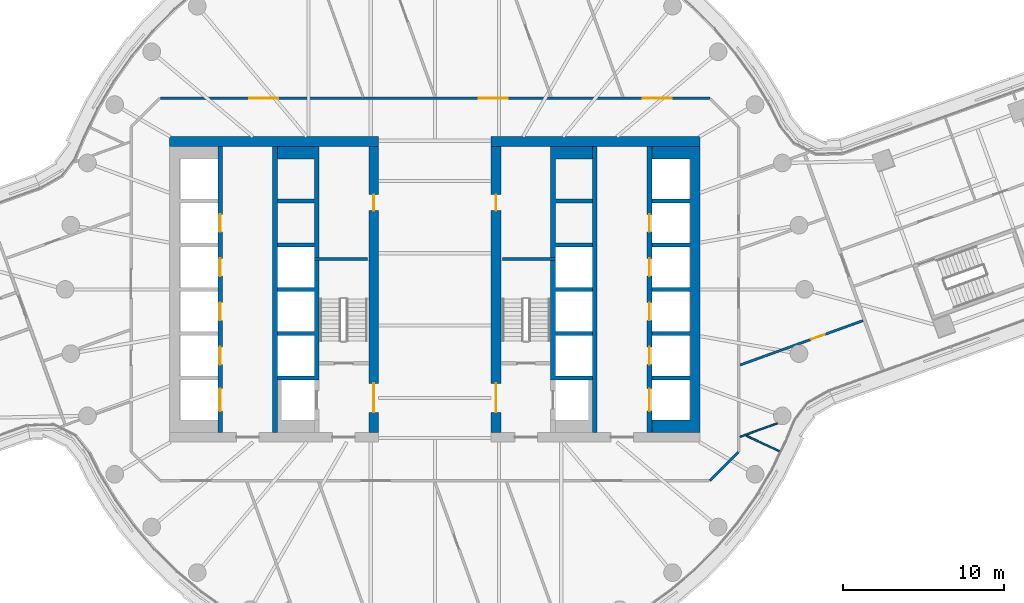
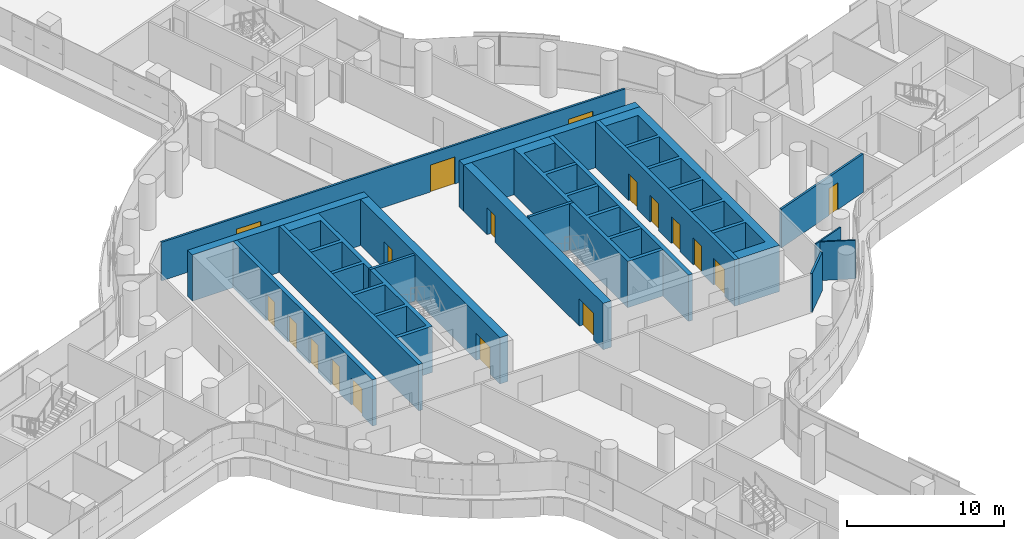
# One storey, part 20 of 30: 18 doors, 18 walls, 18 openings.
"""IFC4 building model written with IfcOpenShell, lengths in metres."""

from ifc_helpers import new_model, si_unit, direction, frame, frame_2d, origin, place, context, subcontext, project, spatial, polyline, rectangle, outline, extrude, material, layer, layer_set, type_object, element, fill, save


model = new_model("IFC4")

# Units and contexts
model_context = context("Model", 3, precision=1e-05, world=origin(), true_north=direction((0.0, 1.0)))
body_context = subcontext(model_context, "Body", "Model", "MODEL_VIEW")
ifc_project = project(units=[si_unit("LENGTHUNIT", "METRE"), si_unit("AREAUNIT", "SQUARE_METRE"), si_unit("VOLUMEUNIT", "CUBIC_METRE"), si_unit("PLANEANGLEUNIT", "RADIAN"), si_unit("MASSUNIT", "GRAM", prefix="KILO")], contexts=[model_context])

# Site, building, storey
site_placement = place(None, origin())
site = spatial("IfcSite", under=ifc_project, at=site_placement, CompositionType="ELEMENT")
building_placement = place(site_placement, origin())
building = spatial("IfcBuilding", under=site, at=building_placement, Name="Tamarind Cross Interchange Tower", CompositionType="ELEMENT")
storey_placement = place(building_placement, frame((0.0, 0.0, 106.0)))
storey = spatial("IfcBuildingStorey", under=building, at=storey_placement, Name="L25", CompositionType="ELEMENT", Elevation=106.0)

# Wall
ifc_material_1 = material(Name="Concrete C70", Category="concrete")
ifc_layer_1 = layer(ifc_material_1, 0.60009765625)
ifc_layer_set_1 = layer_set([ifc_layer_1], Name="Concrete C70")
wall_type_1 = type_object("IfcWallType", Name="Core wall 600 mm Concrete C70", PredefinedType="SHEAR", material=ifc_layer_set_1)
wall_1_placement = place(storey_placement, frame((-16.5, 9.199951171875, 0.0), z_axis=(0.0, 0.0, 1.0), x_axis=(1.0, 0.0, 0.0)))
element("IfcWall", 1, at=wall_1_placement, inside=storey, type_object=wall_type_1, Name="Core wall CWL-L25-W-NE", PredefinedType="SHEAR", context=body_context, shape_type="SweptSolid", body=[
    extrude(rectangle(XDim=13.0, YDim=0.60009765625, at=frame_2d((6.5, 0.0))), origin(), (0.0, 0.0, 1.0), 3.610107421875),
])

# Wall, openings, doors
wall_2_placement = place(storey_placement, frame((-3.800048828125, -8.89990234375, 0.0), z_axis=(0.0, 0.0, 1.0), x_axis=(0.0, 1.0, 0.0)))
wall_2 = element("IfcWall", 2, at=wall_2_placement, inside=storey, type_object=wall_type_1, Name="Core wall CWL-L25-W-IN", PredefinedType="SHEAR", context=body_context, shape_type="SweptSolid", body=[
    extrude(rectangle(XDim=17.7998046875, YDim=0.60009765625, at=frame_2d((8.89990234375, 0.0))), origin(), (0.0, 0.0, 1.0), 3.610107421875),
])
opening_1_placement = place(wall_2_placement, frame((1.25, 0.0, 0.0)))
opening_1 = element("IfcOpeningElement", 3, at=opening_1_placement, cuts=wall_2, Name="Opening DCW4", PredefinedType="OPENING", context=body_context, shape_type="SweptSolid", body=[
    extrude(rectangle(XDim=1.800048828125, YDim=2.10009765625, at=frame_2d((0.89990234375, 1.050048828125))), frame((0.0, 0.31005859375, 0.0), z_axis=(0.0, -1.0, 0.0), x_axis=(1.0, 0.0, 0.0)), (0.0, 0.0, 1.0), 0.6201171875),
])
opening_2_placement = place(wall_2_placement, frame((13.800048828125, 0.0, 0.0)))
opening_2 = element("IfcOpeningElement", 4, at=opening_2_placement, cuts=wall_2, Name="Opening DCW5", PredefinedType="OPENING", context=body_context, shape_type="SweptSolid", body=[
    extrude(rectangle(XDim=1.0, YDim=2.10009765625, at=frame_2d((0.5, 1.050048828125))), frame((0.0, 0.31005859375, 0.0), z_axis=(0.0, -1.0, 0.0), x_axis=(1.0, 0.0, 0.0)), (0.0, 0.0, 1.0), 0.6201171875),
])
ifc_material_2 = material(Name="Steel, fire-resisting", Category="steel")
door_type_1 = type_object("IfcDoorType", Name="Core fire door 1000 x 2100 FD90", OperationType="SINGLE_SWING_LEFT", PredefinedType="DOOR", material=ifc_material_2)
door_1_placement = place(opening_2_placement, origin())
door_1 = element("IfcDoor", 5, at=door_1_placement, inside=storey, type_object=door_type_1, Name="L25 riser room door", OperationType="SINGLE_SWING_LEFT", OverallHeight=2.10009765625, OverallWidth=1.0, PredefinedType="DOOR", context=body_context, shape_type="SweptSolid", body=[
    extrude(rectangle(XDim=1.0, YDim=2.10009765625, at=frame_2d((0.5, 1.050048828125))), frame((0.0, 0.02490234375, 0.0), z_axis=(0.0, -1.0, 0.0), x_axis=(1.0, 0.0, 0.0)), (0.0, 0.0, 1.0), 0.050048828125),
])
fill(opening_2, door_1)
door_type_2 = type_object("IfcDoorType", Name="Core fire door 1800 x 2100 FD90", OperationType="SINGLE_SWING_LEFT", PredefinedType="DOOR", material=ifc_material_2)
door_2_placement = place(opening_1_placement, origin())
door_2 = element("IfcDoor", 6, at=door_2_placement, inside=storey, type_object=door_type_2, Name="L25 firefighting lobby door", OperationType="SINGLE_SWING_LEFT", OverallHeight=2.10009765625, OverallWidth=1.800048828125, PredefinedType="DOOR", context=body_context, shape_type="SweptSolid", body=[
    extrude(rectangle(XDim=1.800048828125, YDim=2.10009765625, at=frame_2d((0.89990234375, 1.050048828125))), frame((0.0, 0.02490234375, 0.0), z_axis=(0.0, -1.0, 0.0), x_axis=(1.0, 0.0, 0.0)), (0.0, 0.0, 1.0), 0.050048828125),
])
fill(opening_1, door_2)

# Walls
wall_3_placement = place(storey_placement, origin())
element("IfcWall", 7, at=wall_3_placement, inside=storey, type_object=wall_type_1, Name="Core wall CWL-L25-E-A", PredefinedType="SHEAR", context=body_context, shape_type="SweptSolid", body=[
    extrude(outline(polyline([(13.5, -8.89990234375), (15.89990234375, -8.89990234375), (16.5, -8.89990234375), (16.5, 8.89990234375), (15.89990234375, 8.89990234375), (13.5, 8.89990234375), (13.5, 8.125), (15.89990234375, 8.125), (15.89990234375, 5.625), (13.5, 5.625), (13.5, 5.375), (15.89990234375, 5.375), (15.89990234375, 2.875), (13.5, 2.875), (13.5, 2.625), (15.89990234375, 2.625), (15.89990234375, 0.125), (13.5, 0.125), (13.5, -0.125), (15.89990234375, -0.125), (15.89990234375, -2.625), (13.5, -2.625), (13.5, -2.875), (15.89990234375, -2.875), (15.89990234375, -5.375), (13.5, -5.375), (13.5, -5.625), (15.89990234375, -5.625), (15.89990234375, -8.125), (13.5, -8.125), (13.5, -8.89990234375)])), origin(), (0.0, 0.0, 1.0), 3.610107421875),
])
wall_4_placement = place(storey_placement, frame((16.5, 9.199951171875, 0.0), z_axis=(0.0, 0.0, 1.0), x_axis=(-1.0, 0.0, 0.0)))
element("IfcWall", 8, at=wall_4_placement, inside=storey, type_object=wall_type_1, Name="Core wall CWL-L25-E-NE", PredefinedType="SHEAR", context=body_context, shape_type="SweptSolid", body=[
    extrude(rectangle(XDim=13.0, YDim=0.60009765625, at=frame_2d((6.5, 0.0))), origin(), (0.0, 0.0, 1.0), 3.610107421875),
])

# Wall, openings, doors
wall_5_placement = place(storey_placement, frame((3.800048828125, -8.89990234375, 0.0), z_axis=(0.0, 0.0, 1.0), x_axis=(0.0, 1.0, 0.0)))
wall_5 = element("IfcWall", 9, at=wall_5_placement, inside=storey, type_object=wall_type_1, Name="Core wall CWL-L25-E-IN", PredefinedType="SHEAR", context=body_context, shape_type="SweptSolid", body=[
    extrude(rectangle(XDim=17.7998046875, YDim=0.60009765625, at=frame_2d((8.89990234375, 0.0))), origin(), (0.0, 0.0, 1.0), 3.610107421875),
])
opening_3_placement = place(wall_5_placement, frame((1.25, 0.0, 0.0)))
opening_3 = element("IfcOpeningElement", 10, at=opening_3_placement, cuts=wall_5, Name="Opening DCE4", PredefinedType="OPENING", context=body_context, shape_type="SweptSolid", body=[
    extrude(rectangle(XDim=1.800048828125, YDim=2.10009765625, at=frame_2d((0.89990234375, 1.050048828125))), frame((0.0, 0.31005859375, 0.0), z_axis=(0.0, -1.0, 0.0), x_axis=(1.0, 0.0, 0.0)), (0.0, 0.0, 1.0), 0.6201171875),
])
opening_4_placement = place(wall_5_placement, frame((13.800048828125, 0.0, 0.0)))
opening_4 = element("IfcOpeningElement", 11, at=opening_4_placement, cuts=wall_5, Name="Opening DCE5", PredefinedType="OPENING", context=body_context, shape_type="SweptSolid", body=[
    extrude(rectangle(XDim=1.0, YDim=2.10009765625, at=frame_2d((0.5, 1.050048828125))), frame((0.0, 0.31005859375, 0.0), z_axis=(0.0, -1.0, 0.0), x_axis=(1.0, 0.0, 0.0)), (0.0, 0.0, 1.0), 0.6201171875),
])
door_3_placement = place(opening_4_placement, origin())
door_3 = element("IfcDoor", 12, at=door_3_placement, inside=storey, type_object=door_type_1, Name="L25 riser room door", OperationType="SINGLE_SWING_LEFT", OverallHeight=2.10009765625, OverallWidth=1.0, PredefinedType="DOOR", context=body_context, shape_type="SweptSolid", body=[
    extrude(rectangle(XDim=1.0, YDim=2.10009765625, at=frame_2d((0.5, 1.050048828125))), frame((0.0, 0.02490234375, 0.0), z_axis=(0.0, -1.0, 0.0), x_axis=(1.0, 0.0, 0.0)), (0.0, 0.0, 1.0), 0.050048828125),
])
fill(opening_4, door_3)
door_4_placement = place(opening_3_placement, origin())
door_4 = element("IfcDoor", 13, at=door_4_placement, inside=storey, type_object=door_type_2, Name="L25 firefighting lobby door", OperationType="SINGLE_SWING_LEFT", OverallHeight=2.10009765625, OverallWidth=1.800048828125, PredefinedType="DOOR", context=body_context, shape_type="SweptSolid", body=[
    extrude(rectangle(XDim=1.800048828125, YDim=2.10009765625, at=frame_2d((0.89990234375, 1.050048828125))), frame((0.0, 0.02490234375, 0.0), z_axis=(0.0, -1.0, 0.0), x_axis=(1.0, 0.0, 0.0)), (0.0, 0.0, 1.0), 0.050048828125),
])
fill(opening_3, door_4)

# Walls
ifc_layer_2 = layer(ifc_material_1, 0.199951171875)
ifc_layer_set_2 = layer_set([ifc_layer_2], Name="Concrete C70")
wall_type_2 = type_object("IfcWallType", Name="Core web wall 200 mm Concrete C70", PredefinedType="SHEAR", material=ifc_layer_set_2)
for number, where, z_axis, x_axis, name in (
    (14, (-7.5, 1.89990234375, 0.0), (0.0, 0.0, 1.0), (1.0, 0.0, 0.0), "Core wall CWL-L25-W-BD"),
    (15, (7.5, 1.89990234375, 0.0), (0.0, 0.0, 1.0), (-1.0, 0.0, 0.0), "Core wall CWL-L25-E-BD"),
):
    element("IfcWall", number, at=place(storey_placement, frame(where, z_axis=z_axis, x_axis=x_axis)), inside=storey, type_object=wall_type_2, Name=name, PredefinedType="SHEAR", context=body_context, shape_type="SweptSolid", body=[
        extrude(rectangle(XDim=3.300048828125, YDim=0.199951171875, at=frame_2d((1.64990234375, 0.0))), origin(), (0.0, 0.0, 1.0), 3.610107421875),
    ])
ifc_layer_3 = layer(ifc_material_1, 0.300048828125)
ifc_layer_set_3 = layer_set([ifc_layer_3], Name="Concrete C70")
wall_type_3 = type_object("IfcWallType", Name="Core web wall 300 mm Concrete C70", PredefinedType="SHEAR", material=ifc_layer_set_3)
wall_6_placement = place(storey_placement, origin())
element("IfcWall", 16, at=wall_6_placement, inside=storey, type_object=wall_type_3, Name="Core wall CWL-L25-W-BN", PredefinedType="SHEAR", context=body_context, shape_type="SweptSolid", body=[
    extrude(outline(polyline([(-9.800048828125, -5.375), (-9.800048828125, -5.625), (-7.5, -5.625), (-7.199951171875, -5.625), (-7.199951171875, 8.89990234375), (-7.5, 8.89990234375), (-9.800048828125, 8.89990234375), (-9.800048828125, 8.125), (-7.5, 8.125), (-7.5, 5.625), (-9.800048828125, 5.625), (-9.800048828125, 5.375), (-7.5, 5.375), (-7.5, 2.875), (-9.800048828125, 2.875), (-9.800048828125, 2.625), (-7.5, 2.625), (-7.5, 0.125), (-9.800048828125, 0.125), (-9.800048828125, -0.125), (-7.5, -0.125), (-7.5, -2.625), (-9.800048828125, -2.625), (-9.800048828125, -2.875), (-7.5, -2.875), (-7.5, -5.375), (-9.800048828125, -5.375)])), origin(), (0.0, 0.0, 1.0), 3.610107421875),
])

# Wall, openings, doors
wall_7_placement = place(storey_placement, frame((-13.35009765625, -8.89990234375, 0.0), z_axis=(0.0, 0.0, 1.0), x_axis=(0.0, 1.0, 0.0)))
wall_7 = element("IfcWall", 17, at=wall_7_placement, inside=storey, type_object=wall_type_3, Name="Core wall CWL-L25-W-LA", PredefinedType="SHEAR", context=body_context, shape_type="SweptSolid", body=[
    extrude(rectangle(XDim=17.7998046875, YDim=0.300048828125, at=frame_2d((8.89990234375, 0.0))), origin(), (0.0, 0.0, 1.0), 3.610107421875),
])
opening_5_placement = place(wall_7_placement, frame((1.324951171875, 0.0, 0.0)))
opening_5 = element("IfcOpeningElement", 18, at=opening_5_placement, cuts=wall_7, Name="Opening LD1L25", PredefinedType="OPENING", context=body_context, shape_type="SweptSolid", body=[
    extrude(rectangle(XDim=1.39990234375, YDim=2.10009765625, at=frame_2d((0.699951171875, 1.050048828125))), frame((0.0, 0.159912109375, 0.0), z_axis=(0.0, -1.0, 0.0), x_axis=(1.0, 0.0, 0.0)), (0.0, 0.0, 1.0), 0.320068359375),
])
opening_6_placement = place(wall_7_placement, frame((4.22509765625, 0.0, 0.0)))
opening_6 = element("IfcOpeningElement", 19, at=opening_6_placement, cuts=wall_7, Name="Opening LD2L25", PredefinedType="OPENING", context=body_context, shape_type="SweptSolid", body=[
    extrude(rectangle(XDim=1.10009765625, YDim=2.10009765625, at=frame_2d((0.550048828125, 1.050048828125))), frame((0.0, 0.159912109375, 0.0), z_axis=(0.0, -1.0, 0.0), x_axis=(1.0, 0.0, 0.0)), (0.0, 0.0, 1.0), 0.320068359375),
])
opening_7_placement = place(wall_7_placement, frame((6.97509765625, 0.0, 0.0)))
opening_7 = element("IfcOpeningElement", 20, at=opening_7_placement, cuts=wall_7, Name="Opening LD3L25", PredefinedType="OPENING", context=body_context, shape_type="SweptSolid", body=[
    extrude(rectangle(XDim=1.10009765625, YDim=2.10009765625, at=frame_2d((0.550048828125, 1.050048828125))), frame((0.0, 0.159912109375, 0.0), z_axis=(0.0, -1.0, 0.0), x_axis=(1.0, 0.0, 0.0)), (0.0, 0.0, 1.0), 0.320068359375),
])
opening_8_placement = place(wall_7_placement, frame((9.72509765625, 0.0, 0.0)))
opening_8 = element("IfcOpeningElement", 21, at=opening_8_placement, cuts=wall_7, Name="Opening LD4L25", PredefinedType="OPENING", context=body_context, shape_type="SweptSolid", body=[
    extrude(rectangle(XDim=1.10009765625, YDim=2.10009765625, at=frame_2d((0.550048828125, 1.050048828125))), frame((0.0, 0.159912109375, 0.0), z_axis=(0.0, -1.0, 0.0), x_axis=(1.0, 0.0, 0.0)), (0.0, 0.0, 1.0), 0.320068359375),
])
opening_9_placement = place(wall_7_placement, frame((12.47509765625, 0.0, 0.0)))
opening_9 = element("IfcOpeningElement", 22, at=opening_9_placement, cuts=wall_7, Name="Opening LD5L25", PredefinedType="OPENING", context=body_context, shape_type="SweptSolid", body=[
    extrude(rectangle(XDim=1.10009765625, YDim=2.10009765625, at=frame_2d((0.550048828125, 1.050048828125))), frame((0.0, 0.159912109375, 0.0), z_axis=(0.0, -1.0, 0.0), x_axis=(1.0, 0.0, 0.0)), (0.0, 0.0, 1.0), 0.320068359375),
])
ifc_material_3 = material(Name="Stainless steel panel", Category="steel")
door_type_3 = type_object("IfcDoorType", Name="Lift landing door 1100 x 2100 E 120", OperationType="SLIDING_TO_LEFT", PredefinedType="DOOR", material=ifc_material_3)
door_5_placement = place(opening_6_placement, origin())
door_5 = element("IfcDoor", 23, at=door_5_placement, inside=storey, type_object=door_type_3, Name="L25 landing door LF2", OperationType="SLIDING_TO_LEFT", OverallHeight=2.10009765625, OverallWidth=1.10009765625, PredefinedType="DOOR", context=body_context, shape_type="SweptSolid", body=[
    extrude(rectangle(XDim=1.10009765625, YDim=2.10009765625, at=frame_2d((0.550048828125, 1.050048828125))), frame((0.0, 0.02490234375, 0.0), z_axis=(0.0, -1.0, 0.0), x_axis=(1.0, 0.0, 0.0)), (0.0, 0.0, 1.0), 0.050048828125),
])
fill(opening_6, door_5)
door_6_placement = place(opening_7_placement, origin())
door_6 = element("IfcDoor", 24, at=door_6_placement, inside=storey, type_object=door_type_3, Name="L25 landing door LF3", OperationType="SLIDING_TO_LEFT", OverallHeight=2.10009765625, OverallWidth=1.10009765625, PredefinedType="DOOR", context=body_context, shape_type="SweptSolid", body=[
    extrude(rectangle(XDim=1.10009765625, YDim=2.10009765625, at=frame_2d((0.550048828125, 1.050048828125))), frame((0.0, 0.02490234375, 0.0), z_axis=(0.0, -1.0, 0.0), x_axis=(1.0, 0.0, 0.0)), (0.0, 0.0, 1.0), 0.050048828125),
])
fill(opening_7, door_6)
door_7_placement = place(opening_8_placement, origin())
door_7 = element("IfcDoor", 25, at=door_7_placement, inside=storey, type_object=door_type_3, Name="L25 landing door LF4", OperationType="SLIDING_TO_LEFT", OverallHeight=2.10009765625, OverallWidth=1.10009765625, PredefinedType="DOOR", context=body_context, shape_type="SweptSolid", body=[
    extrude(rectangle(XDim=1.10009765625, YDim=2.10009765625, at=frame_2d((0.550048828125, 1.050048828125))), frame((0.0, 0.02490234375, 0.0), z_axis=(0.0, -1.0, 0.0), x_axis=(1.0, 0.0, 0.0)), (0.0, 0.0, 1.0), 0.050048828125),
])
fill(opening_8, door_7)
door_8_placement = place(opening_9_placement, origin())
door_8 = element("IfcDoor", 26, at=door_8_placement, inside=storey, type_object=door_type_3, Name="L25 landing door LF5", OperationType="SLIDING_TO_LEFT", OverallHeight=2.10009765625, OverallWidth=1.10009765625, PredefinedType="DOOR", context=body_context, shape_type="SweptSolid", body=[
    extrude(rectangle(XDim=1.10009765625, YDim=2.10009765625, at=frame_2d((0.550048828125, 1.050048828125))), frame((0.0, 0.02490234375, 0.0), z_axis=(0.0, -1.0, 0.0), x_axis=(1.0, 0.0, 0.0)), (0.0, 0.0, 1.0), 0.050048828125),
])
fill(opening_9, door_8)
door_type_4 = type_object("IfcDoorType", Name="Lift landing door 1400 x 2100 E 120", OperationType="SLIDING_TO_LEFT", PredefinedType="DOOR", material=ifc_material_3)
door_9_placement = place(opening_5_placement, origin())
door_9 = element("IfcDoor", 27, at=door_9_placement, inside=storey, type_object=door_type_4, Name="L25 landing door LF1", OperationType="SLIDING_TO_LEFT", OverallHeight=2.10009765625, OverallWidth=1.39990234375, PredefinedType="DOOR", context=body_context, shape_type="SweptSolid", body=[
    extrude(rectangle(XDim=1.39990234375, YDim=2.10009765625, at=frame_2d((0.699951171875, 1.050048828125))), frame((0.0, 0.02490234375, 0.0), z_axis=(0.0, -1.0, 0.0), x_axis=(1.0, 0.0, 0.0)), (0.0, 0.0, 1.0), 0.050048828125),
])
fill(opening_5, door_9)

# Walls
wall_8_placement = place(storey_placement, frame((-9.949951171875, -8.89990234375, 0.0), z_axis=(0.0, 0.0, 1.0), x_axis=(0.0, 1.0, 0.0)))
element("IfcWall", 28, at=wall_8_placement, inside=storey, type_object=wall_type_3, Name="Core wall CWL-L25-W-LB", PredefinedType="SHEAR", context=body_context, shape_type="SweptSolid", body=[
    extrude(rectangle(XDim=17.7998046875, YDim=0.300048828125, at=frame_2d((8.89990234375, 0.0))), origin(), (0.0, 0.0, 1.0), 3.610107421875),
])
wall_9_placement = place(storey_placement, origin())
element("IfcWall", 29, at=wall_9_placement, inside=storey, type_object=wall_type_3, Name="Core wall CWL-L25-E-BN", PredefinedType="SHEAR", context=body_context, shape_type="SweptSolid", body=[
    extrude(outline(polyline([(9.800048828125, -5.375), (7.5, -5.375), (7.5, -2.875), (9.800048828125, -2.875), (9.800048828125, -2.625), (7.5, -2.625), (7.5, -0.125), (9.800048828125, -0.125), (9.800048828125, 0.125), (7.5, 0.125), (7.5, 2.625), (9.800048828125, 2.625), (9.800048828125, 2.875), (7.5, 2.875), (7.5, 5.375), (9.800048828125, 5.375), (9.800048828125, 5.625), (7.5, 5.625), (7.5, 8.125), (9.800048828125, 8.125), (9.800048828125, 8.89990234375), (7.5, 8.89990234375), (7.199951171875, 8.89990234375), (7.199951171875, -5.625), (7.5, -5.625), (9.800048828125, -5.625), (9.800048828125, -5.375)])), origin(), (0.0, 0.0, 1.0), 3.610107421875),
])

# Wall, openings, doors
wall_10_placement = place(storey_placement, frame((13.35009765625, -8.89990234375, 0.0), z_axis=(0.0, 0.0, 1.0), x_axis=(0.0, 1.0, 0.0)))
wall_10 = element("IfcWall", 30, at=wall_10_placement, inside=storey, type_object=wall_type_3, Name="Core wall CWL-L25-E-LA", PredefinedType="SHEAR", context=body_context, shape_type="SweptSolid", body=[
    extrude(rectangle(XDim=17.7998046875, YDim=0.300048828125, at=frame_2d((8.89990234375, 0.0))), origin(), (0.0, 0.0, 1.0), 3.610107421875),
])
opening_10_placement = place(wall_10_placement, frame((1.324951171875, 0.0, 0.0)))
opening_10 = element("IfcOpeningElement", 31, at=opening_10_placement, cuts=wall_10, Name="Opening LD13L25", PredefinedType="OPENING", context=body_context, shape_type="SweptSolid", body=[
    extrude(rectangle(XDim=1.39990234375, YDim=2.10009765625, at=frame_2d((0.699951171875, 1.050048828125))), frame((0.0, 0.159912109375, 0.0), z_axis=(0.0, -1.0, 0.0), x_axis=(1.0, 0.0, 0.0)), (0.0, 0.0, 1.0), 0.320068359375),
])
opening_11_placement = place(wall_10_placement, frame((4.22509765625, 0.0, 0.0)))
opening_11 = element("IfcOpeningElement", 32, at=opening_11_placement, cuts=wall_10, Name="Opening LD14L25", PredefinedType="OPENING", context=body_context, shape_type="SweptSolid", body=[
    extrude(rectangle(XDim=1.10009765625, YDim=2.10009765625, at=frame_2d((0.550048828125, 1.050048828125))), frame((0.0, 0.159912109375, 0.0), z_axis=(0.0, -1.0, 0.0), x_axis=(1.0, 0.0, 0.0)), (0.0, 0.0, 1.0), 0.320068359375),
])
opening_12_placement = place(wall_10_placement, frame((6.97509765625, 0.0, 0.0)))
opening_12 = element("IfcOpeningElement", 33, at=opening_12_placement, cuts=wall_10, Name="Opening LD15L25", PredefinedType="OPENING", context=body_context, shape_type="SweptSolid", body=[
    extrude(rectangle(XDim=1.10009765625, YDim=2.10009765625, at=frame_2d((0.550048828125, 1.050048828125))), frame((0.0, 0.159912109375, 0.0), z_axis=(0.0, -1.0, 0.0), x_axis=(1.0, 0.0, 0.0)), (0.0, 0.0, 1.0), 0.320068359375),
])
opening_13_placement = place(wall_10_placement, frame((9.72509765625, 0.0, 0.0)))
opening_13 = element("IfcOpeningElement", 34, at=opening_13_placement, cuts=wall_10, Name="Opening LD16L25", PredefinedType="OPENING", context=body_context, shape_type="SweptSolid", body=[
    extrude(rectangle(XDim=1.10009765625, YDim=2.10009765625, at=frame_2d((0.550048828125, 1.050048828125))), frame((0.0, 0.159912109375, 0.0), z_axis=(0.0, -1.0, 0.0), x_axis=(1.0, 0.0, 0.0)), (0.0, 0.0, 1.0), 0.320068359375),
])
opening_14_placement = place(wall_10_placement, frame((12.47509765625, 0.0, 0.0)))
opening_14 = element("IfcOpeningElement", 35, at=opening_14_placement, cuts=wall_10, Name="Opening LD17L25", PredefinedType="OPENING", context=body_context, shape_type="SweptSolid", body=[
    extrude(rectangle(XDim=1.10009765625, YDim=2.10009765625, at=frame_2d((0.550048828125, 1.050048828125))), frame((0.0, 0.159912109375, 0.0), z_axis=(0.0, -1.0, 0.0), x_axis=(1.0, 0.0, 0.0)), (0.0, 0.0, 1.0), 0.320068359375),
])
door_10_placement = place(opening_11_placement, origin())
door_10 = element("IfcDoor", 36, at=door_10_placement, inside=storey, type_object=door_type_3, Name="L25 landing door LF14", OperationType="SLIDING_TO_LEFT", OverallHeight=2.10009765625, OverallWidth=1.10009765625, PredefinedType="DOOR", context=body_context, shape_type="SweptSolid", body=[
    extrude(rectangle(XDim=1.10009765625, YDim=2.10009765625, at=frame_2d((0.550048828125, 1.050048828125))), frame((0.0, 0.02490234375, 0.0), z_axis=(0.0, -1.0, 0.0), x_axis=(1.0, 0.0, 0.0)), (0.0, 0.0, 1.0), 0.050048828125),
])
fill(opening_11, door_10)
door_11_placement = place(opening_12_placement, origin())
door_11 = element("IfcDoor", 37, at=door_11_placement, inside=storey, type_object=door_type_3, Name="L25 landing door LF15", OperationType="SLIDING_TO_LEFT", OverallHeight=2.10009765625, OverallWidth=1.10009765625, PredefinedType="DOOR", context=body_context, shape_type="SweptSolid", body=[
    extrude(rectangle(XDim=1.10009765625, YDim=2.10009765625, at=frame_2d((0.550048828125, 1.050048828125))), frame((0.0, 0.02490234375, 0.0), z_axis=(0.0, -1.0, 0.0), x_axis=(1.0, 0.0, 0.0)), (0.0, 0.0, 1.0), 0.050048828125),
])
fill(opening_12, door_11)
door_12_placement = place(opening_13_placement, origin())
door_12 = element("IfcDoor", 38, at=door_12_placement, inside=storey, type_object=door_type_3, Name="L25 landing door LF16", OperationType="SLIDING_TO_LEFT", OverallHeight=2.10009765625, OverallWidth=1.10009765625, PredefinedType="DOOR", context=body_context, shape_type="SweptSolid", body=[
    extrude(rectangle(XDim=1.10009765625, YDim=2.10009765625, at=frame_2d((0.550048828125, 1.050048828125))), frame((0.0, 0.02490234375, 0.0), z_axis=(0.0, -1.0, 0.0), x_axis=(1.0, 0.0, 0.0)), (0.0, 0.0, 1.0), 0.050048828125),
])
fill(opening_13, door_12)
door_13_placement = place(opening_14_placement, origin())
door_13 = element("IfcDoor", 39, at=door_13_placement, inside=storey, type_object=door_type_3, Name="L25 landing door LF17", OperationType="SLIDING_TO_LEFT", OverallHeight=2.10009765625, OverallWidth=1.10009765625, PredefinedType="DOOR", context=body_context, shape_type="SweptSolid", body=[
    extrude(rectangle(XDim=1.10009765625, YDim=2.10009765625, at=frame_2d((0.550048828125, 1.050048828125))), frame((0.0, 0.02490234375, 0.0), z_axis=(0.0, -1.0, 0.0), x_axis=(1.0, 0.0, 0.0)), (0.0, 0.0, 1.0), 0.050048828125),
])
fill(opening_14, door_13)
door_14_placement = place(opening_10_placement, origin())
door_14 = element("IfcDoor", 40, at=door_14_placement, inside=storey, type_object=door_type_4, Name="L25 landing door LF13", OperationType="SLIDING_TO_LEFT", OverallHeight=2.10009765625, OverallWidth=1.39990234375, PredefinedType="DOOR", context=body_context, shape_type="SweptSolid", body=[
    extrude(rectangle(XDim=1.39990234375, YDim=2.10009765625, at=frame_2d((0.699951171875, 1.050048828125))), frame((0.0, 0.02490234375, 0.0), z_axis=(0.0, -1.0, 0.0), x_axis=(1.0, 0.0, 0.0)), (0.0, 0.0, 1.0), 0.050048828125),
])
fill(opening_10, door_14)

# Walls
wall_11_placement = place(storey_placement, frame((9.949951171875, -8.89990234375, 0.0), z_axis=(0.0, 0.0, 1.0), x_axis=(0.0, 1.0, 0.0)))
element("IfcWall", 41, at=wall_11_placement, inside=storey, type_object=wall_type_3, Name="Core wall CWL-L25-E-LB", PredefinedType="SHEAR", context=body_context, shape_type="SweptSolid", body=[
    extrude(rectangle(XDim=17.7998046875, YDim=0.300048828125, at=frame_2d((8.89990234375, 0.0))), origin(), (0.0, 0.0, 1.0), 3.610107421875),
])
ifc_material_4 = material(Name="Gypsum board partition on steel studs", Category="steel")
ifc_layer_4 = layer(ifc_material_4, 0.10009765625)
ifc_layer_set_4 = layer_set([ifc_layer_4], Name="Gypsum board partition on steel studs")
wall_type_4 = type_object("IfcWallType", Name="Partition 100 mm EI 90", PredefinedType="PARTITIONING", material=ifc_layer_set_4)
wall_12_placement = place(storey_placement, frame((19.376220703125, -9.10302734375, 0.0), z_axis=(0.0, 0.0, 1.0), x_axis=(0.905138048733, -0.425117763374, 0.0)))
element("IfcWall", 42, at=wall_12_placement, inside=storey, type_object=wall_type_4, Name="Partition L25-039", PredefinedType="PARTITIONING", context=body_context, shape_type="SweptSolid", body=[
    extrude(rectangle(XDim=2.267822265625, YDim=0.10009765625, at=frame_2d((1.1337890625, 0.0))), origin(), (0.0, 0.0, 1.0), 3.010009765625),
])
wall_13_placement = place(storey_placement, frame((18.97509765625, -9.171875, 0.0), z_axis=(0.0, 0.0, 1.0), x_axis=(0.94050065274, 0.339791880709, 0.0)))
element("IfcWall", 43, at=wall_13_placement, inside=storey, type_object=wall_type_4, Name="Partition L25-062", PredefinedType="PARTITIONING", context=body_context, shape_type="SweptSolid", body=[
    extrude(rectangle(XDim=2.482421875, YDim=0.10009765625, at=frame_2d((1.2412109375, 0.0))), origin(), (0.0, 0.0, 1.0), 3.010009765625),
])

# Wall, openings, doors
ifc_layer_5 = layer(ifc_material_4, 0.14990234375)
ifc_layer_set_5 = layer_set([ifc_layer_5], Name="Gypsum board partition on steel studs")
wall_type_5 = type_object("IfcWallType", Name="Partition 150 mm EI 120", PredefinedType="PARTITIONING", material=ifc_layer_set_5)
wall_14_placement = place(storey_placement, frame((-17.06494140625, 11.89990234375, 0.0), z_axis=(0.0, 0.0, 1.0), x_axis=(1.0, 0.0, 0.0)))
wall_14 = element("IfcWall", 44, at=wall_14_placement, inside=storey, type_object=wall_type_5, Name="Partition L25-041", PredefinedType="PARTITIONING", context=body_context, shape_type="SweptSolid", body=[
    extrude(rectangle(XDim=34.1650390625, YDim=0.14990234375, at=frame_2d((17.08251953125, 0.0))), origin(), (0.0, 0.0, 1.0), 3.010009765625),
])
opening_15_placement = place(wall_14_placement, frame((19.797119140625, 0.0, 0.0)))
opening_15 = element("IfcOpeningElement", 45, at=opening_15_placement, cuts=wall_14, Name="Opening D20", PredefinedType="OPENING", context=body_context, shape_type="SweptSolid", body=[
    extrude(rectangle(XDim=1.800048828125, YDim=2.10009765625, at=frame_2d((0.89990234375, 1.050048828125))), frame((0.0, 0.0849609375, 0.0), z_axis=(0.0, -1.0, 0.0), x_axis=(1.0, 0.0, 0.0)), (0.0, 0.0, 1.0), 0.169921875),
])
opening_16_placement = place(wall_14_placement, frame((29.991943359375, 0.0, 0.0)))
opening_16 = element("IfcOpeningElement", 46, at=opening_16_placement, cuts=wall_14, Name="Opening D21", PredefinedType="OPENING", context=body_context, shape_type="SweptSolid", body=[
    extrude(rectangle(XDim=1.800048828125, YDim=2.10009765625, at=frame_2d((0.89990234375, 1.050048828125))), frame((0.0, 0.0849609375, 0.0), z_axis=(0.0, -1.0, 0.0), x_axis=(1.0, 0.0, 0.0)), (0.0, 0.0, 1.0), 0.169921875),
])
opening_17_placement = place(wall_14_placement, frame((5.514892578125, 0.0, 0.0)))
opening_17 = element("IfcOpeningElement", 47, at=opening_17_placement, cuts=wall_14, Name="Opening D22", PredefinedType="OPENING", context=body_context, shape_type="SweptSolid", body=[
    extrude(rectangle(XDim=1.800048828125, YDim=2.10009765625, at=frame_2d((0.89990234375, 1.050048828125))), frame((0.0, 0.0849609375, 0.0), z_axis=(0.0, -1.0, 0.0), x_axis=(1.0, 0.0, 0.0)), (0.0, 0.0, 1.0), 0.169921875),
])
ifc_material_5 = material(Name="Fire-resisting door set")
door_type_5 = type_object("IfcDoorType", Name="Interior door 1800 x 2100 FD60S", OperationType="DOUBLE_DOOR_SINGLE_SWING", PredefinedType="DOOR", material=ifc_material_5)
door_15_placement = place(opening_15_placement, frame((1.800048828125, 0.0, 0.0), z_axis=(0.0, 0.0, 1.0), x_axis=(-1.0, 0.0, 0.0)))
door_15 = element("IfcDoor", 48, at=door_15_placement, inside=storey, type_object=door_type_5, Name="Door D20", OperationType="DOUBLE_DOOR_SINGLE_SWING", OverallHeight=2.10009765625, OverallWidth=1.800048828125, PredefinedType="DOOR", context=body_context, shape_type="SweptSolid", body=[
    extrude(rectangle(XDim=1.800048828125, YDim=2.10009765625, at=frame_2d((0.89990234375, 1.050048828125))), frame((0.0, 0.02490234375, 0.0), z_axis=(0.0, -1.0, 0.0), x_axis=(1.0, 0.0, 0.0)), (0.0, 0.0, 1.0), 0.050048828125),
])
fill(opening_15, door_15)
door_16_placement = place(opening_16_placement, origin())
door_16 = element("IfcDoor", 49, at=door_16_placement, inside=storey, type_object=door_type_5, Name="Door D21", OperationType="DOUBLE_DOOR_SINGLE_SWING", OverallHeight=2.10009765625, OverallWidth=1.800048828125, PredefinedType="DOOR", context=body_context, shape_type="SweptSolid", body=[
    extrude(rectangle(XDim=1.800048828125, YDim=2.10009765625, at=frame_2d((0.89990234375, 1.050048828125))), frame((0.0, 0.02490234375, 0.0), z_axis=(0.0, -1.0, 0.0), x_axis=(1.0, 0.0, 0.0)), (0.0, 0.0, 1.0), 0.050048828125),
])
fill(opening_16, door_16)
door_17_placement = place(opening_17_placement, origin())
door_17 = element("IfcDoor", 50, at=door_17_placement, inside=storey, type_object=door_type_5, Name="Door D22", OperationType="DOUBLE_DOOR_SINGLE_SWING", OverallHeight=2.10009765625, OverallWidth=1.800048828125, PredefinedType="DOOR", context=body_context, shape_type="SweptSolid", body=[
    extrude(rectangle(XDim=1.800048828125, YDim=2.10009765625, at=frame_2d((0.89990234375, 1.050048828125))), frame((0.0, 0.02490234375, 0.0), z_axis=(0.0, -1.0, 0.0), x_axis=(1.0, 0.0, 0.0)), (0.0, 0.0, 1.0), 0.050048828125),
])
fill(opening_17, door_17)

# Wall, opening, door
wall_15_placement = place(storey_placement, frame((18.984619140625, -4.703369140625, 0.0), z_axis=(0.0, 0.0, 1.0), x_axis=(0.940599704844, 0.339517591955, 0.0)))
wall_15 = element("IfcWall", 51, at=wall_15_placement, inside=storey, type_object=wall_type_5, Name="Partition L25-063", PredefinedType="PARTITIONING", context=body_context, shape_type="SweptSolid", body=[
    extrude(rectangle(XDim=8.133544921875, YDim=0.14990234375, at=frame_2d((4.06689453125, 0.0))), origin(), (0.0, 0.0, 1.0), 3.010009765625),
])
opening_18_placement = place(wall_15_placement, frame((4.7099609375, 0.0, 0.0)))
opening_18 = element("IfcOpeningElement", 52, at=opening_18_placement, cuts=wall_15, Name="Opening D34", PredefinedType="OPENING", context=body_context, shape_type="SweptSolid", body=[
    extrude(rectangle(XDim=0.89990234375, YDim=2.10009765625, at=frame_2d((0.449951171875, 1.050048828125))), frame((0.0, 0.0849609375, 0.0), z_axis=(0.0, -1.0, 0.0), x_axis=(1.0, 0.0, 0.0)), (0.0, 0.0, 1.0), 0.169921875),
])
door_type_6 = type_object("IfcDoorType", Name="Interior door 900 x 2100 FD60S", OperationType="SINGLE_SWING_LEFT", PredefinedType="DOOR", material=ifc_material_5)
door_18_placement = place(opening_18_placement, frame((0.89990234375, 0.0, 0.0), z_axis=(0.0, 0.0, 1.0), x_axis=(-1.0, 0.0, 0.0)))
door_18 = element("IfcDoor", 53, at=door_18_placement, inside=storey, type_object=door_type_6, Name="Door D34", OperationType="SINGLE_SWING_RIGHT", OverallHeight=2.10009765625, OverallWidth=0.89990234375, PredefinedType="DOOR", context=body_context, shape_type="SweptSolid", body=[
    extrude(rectangle(XDim=0.89990234375, YDim=2.10009765625, at=frame_2d((0.449951171875, 1.050048828125))), frame((0.0, 0.02490234375, 0.0), z_axis=(0.0, -1.0, 0.0), x_axis=(1.0, 0.0, 0.0)), (0.0, 0.0, 1.0), 0.050048828125),
])
fill(opening_18, door_18)

# Wall
wall_16_placement = place(storey_placement, frame((17.10009765625, -11.89990234375, 0.0), z_axis=(0.0, 0.0, 1.0), x_axis=(0.707106781187, 0.707106781187, 0.0)))
element("IfcWall", 54, at=wall_16_placement, inside=storey, type_object=wall_type_5, Name="Partition L25-072", PredefinedType="PARTITIONING", context=body_context, shape_type="SweptSolid", body=[
    extrude(rectangle(XDim=2.50537109375, YDim=0.14990234375, at=frame_2d((1.252685546875, 0.0))), origin(), (0.0, 0.0, 1.0), 3.010009765625),
])

save(model, "model.ifc")
